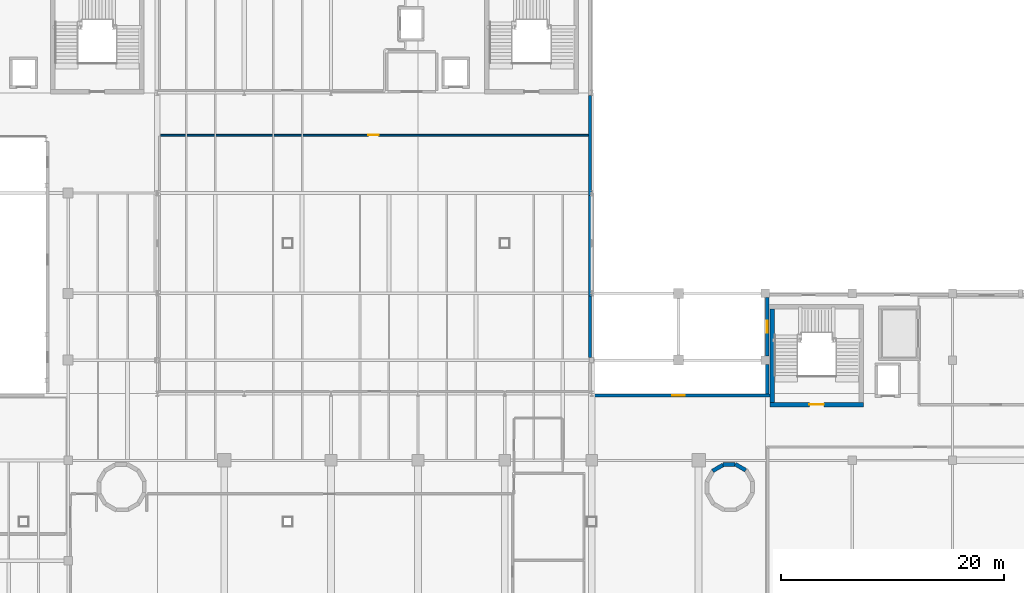
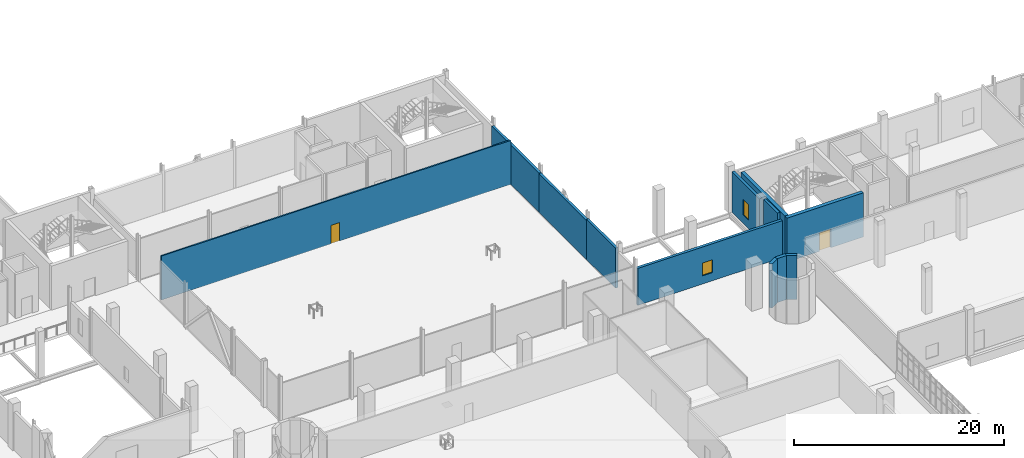
# One storey, part 42 of 57: 12 walls, 2 doors, 2 windows, 4 openings.
"""IFC4 building model written with IfcOpenShell, lengths in metres."""

from ifc_helpers import new_model, si_unit, derived_unit, direction, frame, frame_2d, origin, place, context, subcontext, project, spatial, rectangle, extrude, material, layer, layer_set, type_object, element, fill, save


model = new_model("IFC4")

# Units and contexts
model_context = context("Model", 3, precision=1e-05, world=origin(), true_north=direction((0.0, 1.0)))
body_context = subcontext(model_context, "Body", "Model", "MODEL_VIEW")
ifc_project = project(units=[si_unit("LENGTHUNIT", "METRE"), si_unit("AREAUNIT", "SQUARE_METRE"), si_unit("VOLUMEUNIT", "CUBIC_METRE"), si_unit("PLANEANGLEUNIT", "RADIAN"), si_unit("MASSUNIT", "GRAM", prefix="KILO"), derived_unit("THERMALTRANSMITTANCEUNIT", [(si_unit("POWERUNIT", "WATT"), 1), (si_unit("LENGTHUNIT", "METRE"), -2), (si_unit("THERMODYNAMICTEMPERATUREUNIT", "KELVIN"), -1)])], contexts=[model_context])

# Site, building, storey
site_placement = place(None, origin())
site = spatial("IfcSite", under=ifc_project, at=site_placement, CompositionType="ELEMENT")
building_placement = place(site_placement, origin())
building = spatial("IfcBuilding", under=site, at=building_placement, Name="Nallur Shell Playhouse", CompositionType="ELEMENT")
storey_placement = place(building_placement, origin())
storey = spatial("IfcBuildingStorey", under=building, at=storey_placement, Name="L01", CompositionType="ELEMENT", Elevation=0.0)

# Wall, opening, door
ifc_material_1 = material(Name="Concrete M45", Category="concrete")
ifc_layer_1 = layer(ifc_material_1, 0.39990234375)
ifc_layer_set_1 = layer_set([ifc_layer_1], Name="Concrete M45")
wall_type_1 = type_object("IfcWallType", Name="WL-CORE-400", PredefinedType="SHEAR", material=ifc_layer_set_1)
wall_1_placement = place(storey_placement, frame((119.0, 46.0, 0.0), z_axis=(0.0, 0.0, 1.0), x_axis=(1.0, 0.0, 0.0)))
wall_1 = element("IfcWall", 1, at=wall_1_placement, inside=storey, type_object=wall_type_1, Name="Joint Core JC-2 shear wall S (L01)", PredefinedType="SHEAR", context=body_context, shape_type="SweptSolid", body=[
    extrude(rectangle(XDim=8.39990234375, YDim=0.39990234375, at=frame_2d((4.199951171875, 0.0))), origin(), (0.0, 0.0, 1.0), 5.1201171875),
])
opening_1_placement = place(wall_1_placement, frame((3.550048828125, 0.0, 0.0)))
opening_1 = element("IfcOpeningElement", 2, at=opening_1_placement, cuts=wall_1, Name="Opening FD-ST2", PredefinedType="OPENING", context=body_context, shape_type="SweptSolid", body=[
    extrude(rectangle(XDim=1.300048828125, YDim=2.14990234375, at=frame_2d((0.64990234375, 1.074951171875))), frame((0.0, 0.2099609375, 0.0), z_axis=(0.0, -1.0, 0.0), x_axis=(1.0, 0.0, 0.0)), (0.0, 0.0, 1.0), 0.419921875),
])
ifc_material_2 = material(Name="Galvanised Steel Fire-Rated Stair Door", Category="steel")
door_type_1 = type_object("IfcDoorType", Name="DR-INT-STAIR-R", OperationType="SINGLE_SWING_RIGHT", PredefinedType="DOOR", material=ifc_material_2)
door_1_placement = place(opening_1_placement, origin())
door_1 = element("IfcDoor", 3, at=door_1_placement, inside=storey, type_object=door_type_1, Name="Exit stair ST-02 fire door (L01)", OperationType="SINGLE_SWING_RIGHT", OverallHeight=2.14990234375, OverallWidth=1.300048828125, PredefinedType="DOOR", context=body_context, shape_type="SweptSolid", body=[
    extrude(rectangle(XDim=1.300048828125, YDim=2.14990234375, at=frame_2d((0.64990234375, 1.074951171875))), frame((0.0, 0.02490234375, 0.0), z_axis=(0.0, -1.0, 0.0), x_axis=(1.0, 0.0, 0.0)), (0.0, 0.0, 1.0), 0.050048828125),
])
fill(opening_1, door_1)

# Walls
wall_2_placement = place(storey_placement, frame((119.199951171875, 54.590087890625, 0.0), z_axis=(0.0, 0.0, 1.0), x_axis=(0.0, -1.0, 0.0)))
element("IfcWall", 4, at=wall_2_placement, inside=storey, type_object=wall_type_1, Name="Joint Core JC-2 shear wall W (L01)", PredefinedType="SHEAR", context=body_context, shape_type="SweptSolid", body=[
    extrude(rectangle(XDim=8.380126953125, YDim=0.39990234375, at=frame_2d((4.18994140625, 0.0))), origin(), (0.0, 0.0, 1.0), 5.1201171875),
])
for number, where, z_axis, x_axis, name in (
    (5, (116.8330078125, 40.114990234375, 0.0), (0.0, 0.0, 1.0), (-0.866062834654, 0.499935162227, 0.0), "Metabolist service drum DR-2 facet 2 (L01)"),
    (6, (115.883544921875, 40.62841796875, 0.0), (0.0, 0.0, 1.0), (-1.0, 0.0, 0.0), "Metabolist service drum DR-2 facet 3 (L01)"),
    (7, (114.804443359375, 40.598388671875, 0.0), (0.0, 0.0, 1.0), (-0.866062834654, -0.499935162227, 0.0), "Metabolist service drum DR-2 facet 4 (L01)"),
):
    element("IfcWall", number, at=place(storey_placement, frame(where, z_axis=z_axis, x_axis=x_axis)), inside=storey, type_object=wall_type_1, Name=name, PredefinedType="SHEAR", context=body_context, shape_type="SweptSolid", body=[
        extrude(rectangle(XDim=1.093017578125, YDim=0.35009765625, at=frame_2d((0.54638671875, 0.0))), origin(), (0.0, 0.0, 1.0), 5.1201171875),
    ])
ifc_material_3 = material(Name="Concrete M30", Category="concrete")
ifc_layer_2 = layer(ifc_material_3, 0.280029296875)
ifc_layer_set_2 = layer_set([ifc_layer_2], Name="Concrete M30")
wall_type_2 = type_object("IfcWallType", Name="WL-EXT-INS280", PredefinedType="STANDARD", material=ifc_layer_set_2)
wall_3_placement = place(storey_placement, frame((102.840087890625, 73.76708984375, 0.0), z_axis=(0.0, 0.0, 1.0), x_axis=(0.0, -1.0, 0.0)))
element("IfcWall", 8, at=wall_3_placement, inside=storey, type_object=wall_type_2, Name="L01 exterior wall EW-L01-022", PredefinedType="STANDARD", context=body_context, shape_type="SweptSolid", body=[
    extrude(rectangle(XDim=9.0, YDim=0.280029296875, at=frame_2d((4.5, 0.0))), origin(), (0.0, 0.0, 1.0), 4.554931640625),
])
wall_4_placement = place(storey_placement, frame((102.840087890625, 64.76708984375, 0.0), z_axis=(0.0, 0.0, 1.0), x_axis=(0.0, -1.0, 0.0)))
element("IfcWall", 9, at=wall_4_placement, inside=storey, type_object=wall_type_2, Name="L01 exterior wall EW-L01-023", PredefinedType="STANDARD", context=body_context, shape_type="SweptSolid", body=[
    extrude(rectangle(XDim=9.0, YDim=0.280029296875, at=frame_2d((4.5, 0.0))), origin(), (0.0, 0.0, 1.0), 4.5048828125),
])
wall_5_placement = place(storey_placement, frame((102.840087890625, 55.76708984375, 0.0), z_axis=(0.0, 0.0, 1.0), x_axis=(0.0, -1.0, 0.0)))
element("IfcWall", 10, at=wall_5_placement, inside=storey, type_object=wall_type_2, Name="L01 exterior wall EW-L01-024", PredefinedType="STANDARD", context=body_context, shape_type="SweptSolid", body=[
    extrude(rectangle(XDim=5.5341796875, YDim=0.280029296875, at=frame_2d((2.76708984375, 0.0))), origin(), (0.0, 0.0, 1.0), 4.655029296875),
])
wall_6_placement = place(storey_placement, frame((118.760009765625, 46.98388671875, 0.0), z_axis=(0.0, 0.0, 1.0), x_axis=(0.0, 1.0, 0.0)))
element("IfcWall", 11, at=wall_6_placement, inside=storey, type_object=wall_type_2, Name="L01 exterior wall EW-L01-027", PredefinedType="STANDARD", context=body_context, shape_type="SweptSolid", body=[
    extrude(rectangle(XDim=2.633056640625, YDim=0.280029296875, at=frame_2d((1.31640625, 0.0))), origin(), (0.0, 0.0, 1.0), 5.1201171875),
])

# Wall, opening, window
wall_7_placement = place(storey_placement, frame((118.760009765625, 50.383056640625, 0.0), z_axis=(0.0, 0.0, 1.0), x_axis=(0.0, 1.0, 0.0)))
wall_7 = element("IfcWall", 12, at=wall_7_placement, inside=storey, type_object=wall_type_2, Name="L01 exterior wall EW-L01-028", PredefinedType="STANDARD", context=body_context, shape_type="SweptSolid", body=[
    extrude(rectangle(XDim=5.23388671875, YDim=0.280029296875, at=frame_2d((2.616943359375, 0.0))), origin(), (0.0, 0.0, 1.0), 4.705078125),
])
opening_2_placement = place(wall_7_placement, frame((2.06689453125, 0.0, 0.949951171875)))
opening_2 = element("IfcOpeningElement", 13, at=opening_2_placement, cuts=wall_7, Name="Opening WN-07", PredefinedType="OPENING", context=body_context, shape_type="SweptSolid", body=[
    extrude(rectangle(XDim=1.10009765625, YDim=1.800048828125, at=frame_2d((0.550048828125, 0.89990234375))), frame((0.0, 0.14990234375, 0.0), z_axis=(0.0, -1.0, 0.0), x_axis=(1.0, 0.0, 0.0)), (0.0, 0.0, 1.0), 0.300048828125),
])
ifc_material_4 = material(Name="Thermally Broken Aluminium Acoustic Double-Glazed Window", Category="aluminium")
window_type_1 = type_object("IfcWindowType", Name="WN-TYPE-07", PartitioningType="SINGLE_PANEL", PredefinedType="WINDOW", material=ifc_material_4)
window_1_placement = place(opening_2_placement, origin())
window_1 = element("IfcWindow", 14, at=window_1_placement, inside=storey, type_object=window_type_1, Name="L01 facade module window 007", OverallHeight=1.800048828125, OverallWidth=1.10009765625, PartitioningType="SINGLE_PANEL", PredefinedType="WINDOW", context=body_context, shape_type="SweptSolid", body=[
    extrude(rectangle(XDim=1.10009765625, YDim=1.800048828125, at=frame_2d((0.550048828125, 0.89990234375))), frame((0.0, 0.030029296875, 0.0), z_axis=(0.0, -1.0, 0.0), x_axis=(1.0, 0.0, 0.0)), (0.0, 0.0, 1.0), 0.06005859375),
])
fill(opening_2, window_1)

ifc_material_5 = material(Name="Concrete M35", Category="concrete")
ifc_layer_3 = layer(ifc_material_5, 0.300048828125)
ifc_layer_set_3 = layer_set([ifc_layer_3], Name="Concrete M35")
wall_type_3 = type_object("IfcWallType", Name="WL-EXT-RC300", PredefinedType="STANDARD", material=ifc_layer_set_3)
wall_8_placement = place(storey_placement, frame((103.1240234375, 46.830078125, 0.0), z_axis=(0.0, 0.0, 1.0), x_axis=(1.0, 0.0, 0.0)))
wall_8 = element("IfcWall", 15, at=wall_8_placement, inside=storey, type_object=wall_type_3, Name="L01 exterior wall EW-L01-026", PredefinedType="STANDARD", context=body_context, shape_type="SweptSolid", body=[
    extrude(rectangle(XDim=15.8720703125, YDim=0.300048828125, at=frame_2d((7.93603515625, 0.0))), origin(), (0.0, 0.0, 1.0), 4.304931640625),
])
opening_3_placement = place(wall_8_placement, frame((7.1259765625, 0.0, 0.949951171875)))
opening_3 = element("IfcOpeningElement", 16, at=opening_3_placement, cuts=wall_8, Name="Opening WN-06", PredefinedType="OPENING", context=body_context, shape_type="SweptSolid", body=[
    extrude(rectangle(XDim=1.10009765625, YDim=1.5, at=frame_2d((0.550048828125, 0.75))), frame((0.0, 0.16015625, 0.0), z_axis=(0.0, -1.0, 0.0), x_axis=(1.0, 0.0, 0.0)), (0.0, 0.0, 1.0), 0.320068359375),
])
window_type_2 = type_object("IfcWindowType", Name="WN-TYPE-06", PartitioningType="SINGLE_PANEL", PredefinedType="WINDOW", material=ifc_material_4)
window_2_placement = place(opening_3_placement, origin())
window_2 = element("IfcWindow", 17, at=window_2_placement, inside=storey, type_object=window_type_2, Name="L01 facade module window 006", OverallHeight=1.5, OverallWidth=1.10009765625, PartitioningType="SINGLE_PANEL", PredefinedType="WINDOW", context=body_context, shape_type="SweptSolid", body=[
    extrude(rectangle(XDim=1.10009765625, YDim=1.5, at=frame_2d((0.550048828125, 0.75))), frame((0.0, 0.030029296875, 0.0), z_axis=(0.0, -1.0, 0.0), x_axis=(1.0, 0.0, 0.0)), (0.0, 0.0, 1.0), 0.06005859375),
])
fill(opening_3, window_2)

# Wall, opening, door
ifc_material_6 = material(Name="Concrete M25 Fire Blockwork", Category="masonry")
ifc_layer_4 = layer(ifc_material_6, 0.14990234375)
ifc_layer_set_4 = layer_set([ifc_layer_4], Name="Concrete M25 Fire Blockwork")
wall_type_4 = type_object("IfcWallType", Name="WL-PART-FR150", PredefinedType="PARTITIONING", material=ifc_layer_set_4)
wall_9_placement = place(storey_placement, frame((64.294921875, 70.199951171875, 0.0), z_axis=(0.0, 0.0, 1.0), x_axis=(1.0, 0.0, 0.0)))
wall_9 = element("IfcWall", 18, at=wall_9_placement, inside=storey, type_object=wall_type_4, Name="Main Theatre Proscenium Stage & Side Stages partition IW-L01-0082", PredefinedType="PARTITIONING", context=body_context, shape_type="SweptSolid", body=[
    extrude(rectangle(XDim=38.401123046875, YDim=0.14990234375, at=frame_2d((19.20068359375, 0.0))), origin(), (0.0, 0.0, 1.0), 5.110107421875),
])
opening_4_placement = place(wall_9_placement, frame((18.6298828125, 0.0, 0.0)))
opening_4 = element("IfcOpeningElement", 19, at=opening_4_placement, cuts=wall_9, Name="Opening ID-04", PredefinedType="OPENING", context=body_context, shape_type="SweptSolid", body=[
    extrude(rectangle(XDim=0.949951171875, YDim=2.14990234375, at=frame_2d((0.47509765625, 1.074951171875))), frame((0.0, 0.0849609375, 0.0), z_axis=(0.0, -1.0, 0.0), x_axis=(1.0, 0.0, 0.0)), (0.0, 0.0, 1.0), 0.169921875),
])
ifc_material_7 = material(Name="Solid-Core Engineered Timber Door", Category="wood")
door_type_2 = type_object("IfcDoorType", Name="DR-INT-SGL950R", OperationType="SINGLE_SWING_RIGHT", PredefinedType="DOOR", material=ifc_material_7)
door_2_placement = place(opening_4_placement, origin())
door_2 = element("IfcDoor", 20, at=door_2_placement, inside=storey, type_object=door_type_2, Name="Main Theatre Proscenium Stage & Side Stages door 1", OperationType="SINGLE_SWING_RIGHT", OverallHeight=2.14990234375, OverallWidth=0.949951171875, PredefinedType="DOOR", context=body_context, shape_type="SweptSolid", body=[
    extrude(rectangle(XDim=0.949951171875, YDim=2.14990234375, at=frame_2d((0.47509765625, 1.074951171875))), frame((0.0, 0.02490234375, 0.0), z_axis=(0.0, -1.0, 0.0), x_axis=(1.0, 0.0, 0.0)), (0.0, 0.0, 1.0), 0.050048828125),
])
fill(opening_4, door_2)

save(model, "model.ifc")
